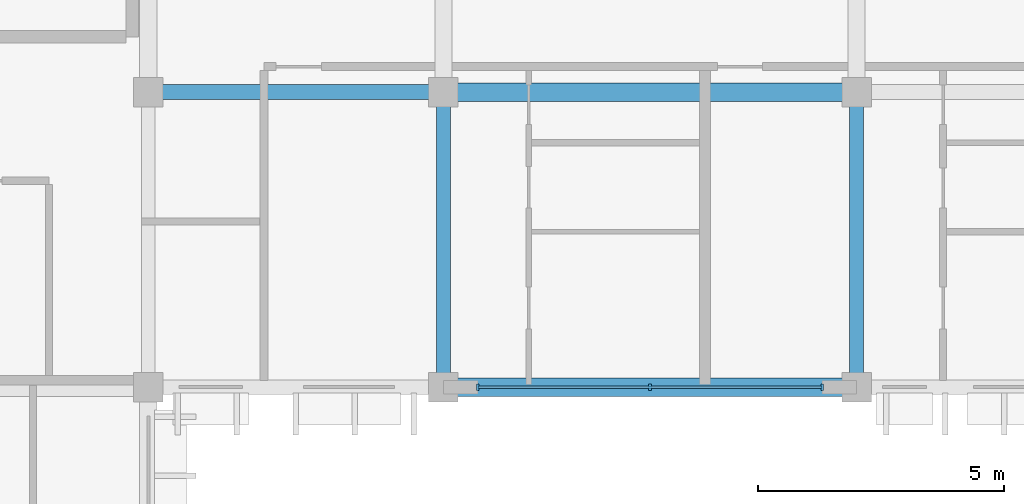
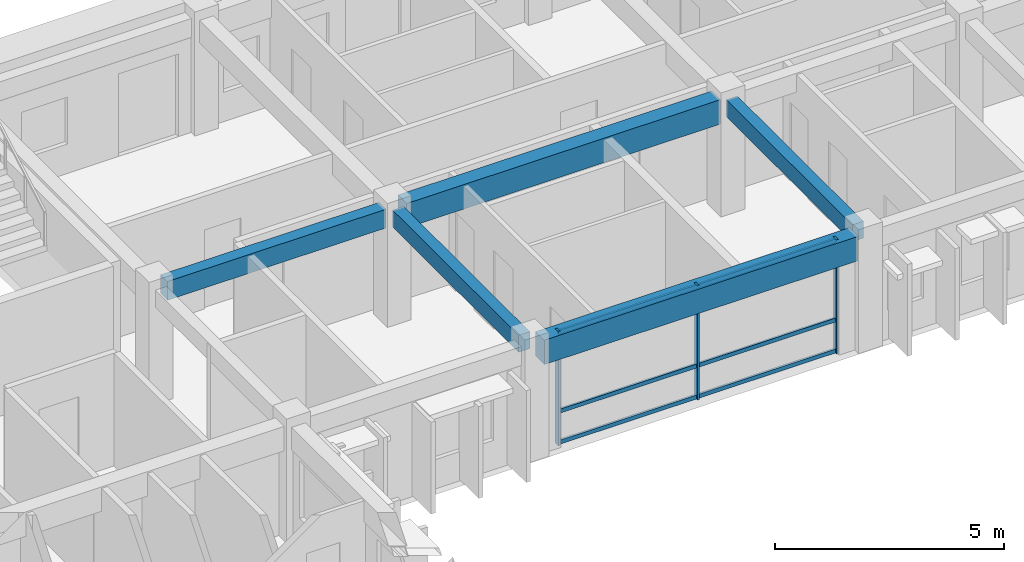
# One storey, part 9 of 54: 6 members, 5 beams, 1 element without a shape of its own.
"""IFC4 building model written with IfcOpenShell, lengths in metres."""

from ifc_helpers import new_model, si_unit, direction, frame, origin, origin_2d, place, context, subcontext, project, spatial, rectangle, extrude, material, material_profile, profile_set, type_object, element, aggregate, save


model = new_model("IFC4")

# Units and contexts
model_context = context("Model", 3, precision=1e-05, world=origin(), true_north=direction((0.0, 1.0)))
body_context = subcontext(model_context, "Body", "Model", "MODEL_VIEW")
ifc_project = project(units=[si_unit("LENGTHUNIT", "METRE"), si_unit("AREAUNIT", "SQUARE_METRE"), si_unit("VOLUMEUNIT", "CUBIC_METRE"), si_unit("PLANEANGLEUNIT", "RADIAN"), si_unit("MASSUNIT", "GRAM", prefix="KILO"), si_unit("THERMODYNAMICTEMPERATUREUNIT", "KELVIN")], contexts=[model_context])

# Site, building, storey
site_placement = place(None, origin())
site = spatial("IfcSite", under=ifc_project, at=site_placement, CompositionType="ELEMENT")
building_placement = place(site_placement, origin())
building = spatial("IfcBuilding", under=site, at=building_placement, Name="Thalorik Housing Commons", CompositionType="ELEMENT")
storey_placement = place(building_placement, frame((0.0, 0.0, 31.199951171875)))
storey = spatial("IfcBuildingStorey", under=building, at=storey_placement, Name="L09", CompositionType="ELEMENT", Elevation=31.199951171875)

# Curtain wall, members
ifc_material_1 = material(Name="Anodised aluminium and solar-control low-E glass", Category="aluminium")
curtain_wall_type = type_object("IfcCurtainWallType", Name="ARC-CW-LOUNGE", PredefinedType="USERDEFINED", material=ifc_material_1)
curtain_wall_placement = place(storey_placement, origin())
curtain_wall = element("IfcCurtainWall", 1, at=curtain_wall_placement, inside=storey, type_object=curtain_wall_type, Name="L09 Curtain Wall CW-RES-L09-A-038", ObjectType="CURTAIN WALL", PredefinedType="USERDEFINED")
ifc_material_2 = material(Name="Anodised aluminium 6063-T6", Category="aluminium")
ifc_material_profile_1 = material_profile(ifc_material_2, rectangle(XDim=0.054931640625, YDim=0.139892578125, at=origin_2d()), Name="ALU MUL 55x140", Category="aluminium")
ifc_profile_set_1 = profile_set([ifc_material_profile_1], Name="Anodised aluminium 6063-T6")
member_type_1 = type_object("IfcMemberType", Name="ARC-CW-MUL-55x140", PredefinedType="MULLION", material=ifc_profile_set_1)
member_1_placement = place(storey_placement, frame((29.5, 109.199951171875, 0.0), z_axis=(0.0, 0.0, 1.0), x_axis=(1.0, 0.0, 0.0)))
member_1 = element("IfcMember", 2, at=member_1_placement, type_object=member_type_1, Name="CW-RES-L09-A-038 Mullion 1", PredefinedType="MULLION", context=body_context, shape_type="SweptSolid", body=[
    extrude(rectangle(XDim=0.054931640625, YDim=0.139892578125, at=origin_2d()), origin(), (0.0, 0.0, 1.0), 3.0400390625),
])
member_2_placement = place(storey_placement, frame((33.0, 109.199951171875, 0.0), z_axis=(0.0, 0.0, 1.0), x_axis=(1.0, 0.0, 0.0)))
member_2 = element("IfcMember", 3, at=member_2_placement, type_object=member_type_1, Name="CW-RES-L09-A-038 Mullion 2", PredefinedType="MULLION", context=body_context, shape_type="SweptSolid", body=[
    extrude(rectangle(XDim=0.054931640625, YDim=0.139892578125, at=origin_2d()), origin(), (0.0, 0.0, 1.0), 3.0400390625),
])
member_3_placement = place(storey_placement, frame((36.5, 109.199951171875, 0.0), z_axis=(0.0, 0.0, 1.0), x_axis=(1.0, 0.0, 0.0)))
member_3 = element("IfcMember", 4, at=member_3_placement, type_object=member_type_1, Name="CW-RES-L09-A-038 Mullion 3", PredefinedType="MULLION", context=body_context, shape_type="SweptSolid", body=[
    extrude(rectangle(XDim=0.054931640625, YDim=0.139892578125, at=origin_2d()), origin(), (0.0, 0.0, 1.0), 3.0400390625),
])
ifc_material_profile_2 = material_profile(ifc_material_2, rectangle(XDim=0.054931640625, YDim=0.10498046875, at=origin_2d()), Name="ALU TRN 55x105", Category="aluminium")
ifc_profile_set_2 = profile_set([ifc_material_profile_2], Name="Anodised aluminium 6063-T6")
member_type_2 = type_object("IfcMemberType", Name="ARC-CW-TRN-55x105", PredefinedType="USERDEFINED", material=ifc_profile_set_2)
member_4_placement = place(storey_placement, frame((29.5, 109.199951171875, 0.054931640625), z_axis=(1.0, 0.0, 0.0), x_axis=(0.0, 1.0, 0.0)))
member_4 = element("IfcMember", 5, at=member_4_placement, type_object=member_type_2, Name="CW-RES-L09-A-038 Transom 1", ObjectType="TRANSOM", PredefinedType="USERDEFINED", context=body_context, shape_type="SweptSolid", body=[
    extrude(rectangle(XDim=0.054931640625, YDim=0.10498046875, at=origin_2d()), origin(), (0.0, 0.0, 1.0), 7.0),
])
member_5_placement = place(storey_placement, frame((29.5, 109.199951171875, 0.880126953125), z_axis=(1.0, 0.0, 0.0), x_axis=(0.0, 1.0, 0.0)))
member_5 = element("IfcMember", 6, at=member_5_placement, type_object=member_type_2, Name="CW-RES-L09-A-038 Transom 2", ObjectType="TRANSOM", PredefinedType="USERDEFINED", context=body_context, shape_type="SweptSolid", body=[
    extrude(rectangle(XDim=0.054931640625, YDim=0.10498046875, at=origin_2d()), origin(), (0.0, 0.0, 1.0), 7.0),
])
member_6_placement = place(storey_placement, frame((29.5, 109.199951171875, 2.985107421875), z_axis=(1.0, 0.0, 0.0), x_axis=(0.0, 1.0, 0.0)))
member_6 = element("IfcMember", 7, at=member_6_placement, type_object=member_type_2, Name="CW-RES-L09-A-038 Transom 3", ObjectType="TRANSOM", PredefinedType="USERDEFINED", context=body_context, shape_type="SweptSolid", body=[
    extrude(rectangle(XDim=0.054931640625, YDim=0.10498046875, at=origin_2d()), origin(), (0.0, 0.0, 1.0), 7.0),
])
aggregate(curtain_wall, [member_1, member_2, member_3, member_4, member_5, member_6])

# Beams
ifc_material_3 = material(Name="Precast concrete C40/50", Category="concrete")
ifc_material_profile_3 = material_profile(ifc_material_3, rectangle(XDim=0.280029296875, YDim=0.449951171875, at=origin_2d()), Name="PC 280x450", Category="concrete")
ifc_profile_set_3 = profile_set([ifc_material_profile_3], Name="Precast concrete C40/50")
beam_type_1 = type_object("IfcBeamType", Name="STR-BM-PC280x450", PredefinedType="BEAM", material=ifc_profile_set_3)
for number, where, z_axis, x_axis, name in (
    (8, (28.800048828125, 109.449951171875, 2.81494140625), (0.0, 1.0, 0.0), (-1.0, 0.0, 0.0), "L09 Beam B-450"),
    (9, (37.199951171875, 109.449951171875, 2.81494140625), (0.0, 1.0, 0.0), (-1.0, 0.0, 0.0), "L09 Beam B-450"),
):
    element("IfcBeam", number, at=place(storey_placement, frame(where, z_axis=z_axis, x_axis=x_axis)), inside=storey, type_object=beam_type_1, Name=name, PredefinedType="BEAM", context=body_context, shape_type="SweptSolid", body=[
        extrude(rectangle(XDim=0.280029296875, YDim=0.449951171875, at=origin_2d()), origin(), (0.0, 0.0, 1.0), 5.5),
    ])
ifc_material_profile_4 = material_profile(ifc_material_3, rectangle(XDim=0.300048828125, YDim=0.5, at=origin_2d()), Name="PC 300x500", Category="concrete")
ifc_profile_set_4 = profile_set([ifc_material_profile_4], Name="Precast concrete C40/50")
beam_type_2 = type_object("IfcBeamType", Name="STR-BM-PC300x500", PredefinedType="BEAM", material=ifc_profile_set_4)
beam_placement = place(storey_placement, frame((23.050048828125, 115.199951171875, 2.7900390625), z_axis=(1.0, 0.0, 0.0), x_axis=(0.0, 1.0, 0.0)))
element("IfcBeam", 10, at=beam_placement, inside=storey, type_object=beam_type_2, Name="L09 Beam B-500", PredefinedType="BEAM", context=body_context, shape_type="SweptSolid", body=[
    extrude(rectangle(XDim=0.300048828125, YDim=0.5, at=origin_2d()), origin(), (0.0, 0.0, 1.0), 5.5),
])
ifc_material_profile_5 = material_profile(ifc_material_3, rectangle(XDim=0.3798828125, YDim=0.64990234375, at=origin_2d()), Name="PC 380x650", Category="concrete")
ifc_profile_set_5 = profile_set([ifc_material_profile_5], Name="Precast concrete C40/50")
beam_type_3 = type_object("IfcBeamType", Name="STR-BM-PC380x650", PredefinedType="BEAM", material=ifc_profile_set_5)
for number, where, z_axis, x_axis, name in (
    (11, (29.050048828125, 109.199951171875, 2.715087890625), (1.0, 0.0, 0.0), (0.0, 1.0, 0.0), "L09 Beam B-650"),
    (12, (29.050048828125, 115.199951171875, 2.715087890625), (1.0, 0.0, 0.0), (0.0, 1.0, 0.0), "L09 Beam B-650"),
):
    element("IfcBeam", number, at=place(storey_placement, frame(where, z_axis=z_axis, x_axis=x_axis)), inside=storey, type_object=beam_type_3, Name=name, PredefinedType="BEAM", context=body_context, shape_type="SweptSolid", body=[
        extrude(rectangle(XDim=0.3798828125, YDim=0.64990234375, at=origin_2d()), origin(), (0.0, 0.0, 1.0), 7.89990234375),
    ])

save(model, "model.ifc")
